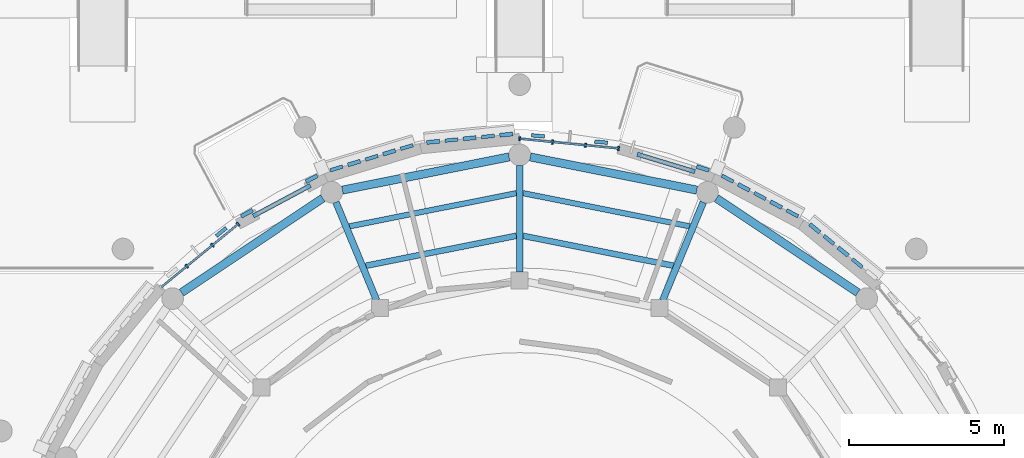
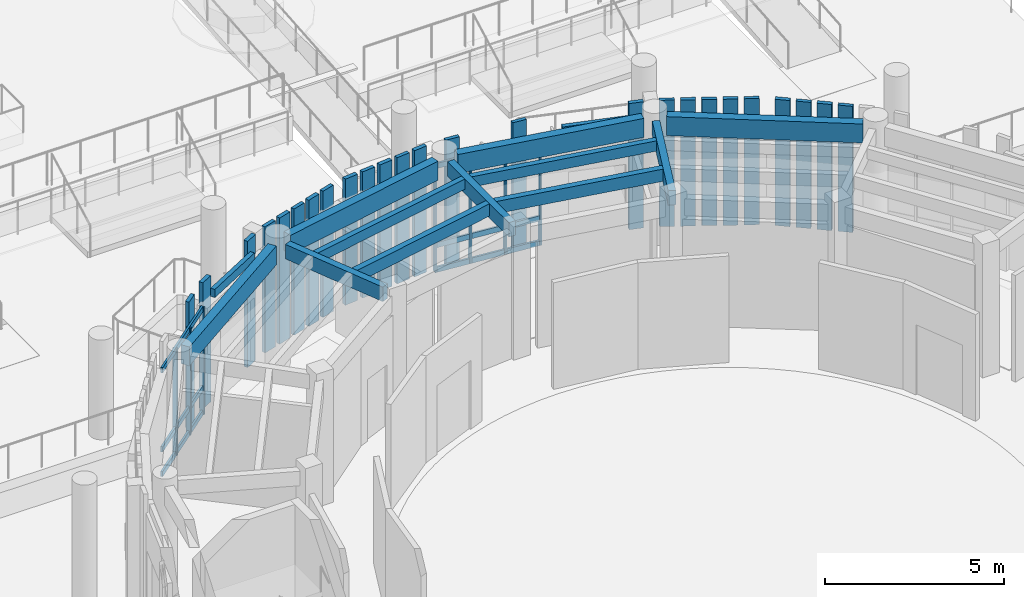
# One storey, part 18 of 94: 38 members, 13 beams, 2 elements without a shape of their own.
"""IFC4 building model written with IfcOpenShell, lengths in metres."""

from ifc_helpers import new_model, si_unit, direction, frame, origin, origin_2d, place, context, subcontext, project, spatial, rectangle, extrude, material, layer, layer_set, material_profile, profile_set, type_object, element, aggregate, save


model = new_model("IFC4")

# Units and contexts
model_context = context("Model", 3, precision=1e-05, world=origin(), true_north=direction((0.0, 1.0)))
body_context = subcontext(model_context, "Body", "Model", "MODEL_VIEW")
ifc_project = project(units=[si_unit("LENGTHUNIT", "METRE"), si_unit("AREAUNIT", "SQUARE_METRE"), si_unit("VOLUMEUNIT", "CUBIC_METRE"), si_unit("PLANEANGLEUNIT", "RADIAN"), si_unit("MASSUNIT", "GRAM", prefix="KILO")], contexts=[model_context])

# Site, building, storey
site_placement = place(None, origin())
site = spatial("IfcSite", under=ifc_project, at=site_placement, CompositionType="ELEMENT")
building_placement = place(site_placement, origin())
building = spatial("IfcBuilding", under=site, at=building_placement, Name="Aldenvaro Health Centre", CompositionType="ELEMENT")
storey_placement = place(building_placement, origin())
storey = spatial("IfcBuildingStorey", under=building, at=storey_placement, Name="L00", CompositionType="ELEMENT", Elevation=0.0)

# Beams
ifc_material_1 = material(Name="Glulam GL28h", Category="wood")
ifc_material_profile_1 = material_profile(ifc_material_1, rectangle(XDim=0.139892578125, YDim=0.280029296875, at=origin_2d()), Name="GL 140x280", Category="wood")
ifc_profile_set_1 = profile_set([ifc_material_profile_1], Name="Glulam GL28h")
beam_type_1 = type_object("IfcBeamType", Name="BM-GL-280", PredefinedType="LINTEL", material=ifc_profile_set_1)
beam_1_placement = place(storey_placement, frame((78.3798828125, 33.89892578125, 3.799072265625), z_axis=(0.881911669303, 0.471414687454, 0.0), x_axis=(-0.471414687454, 0.881911669303, 0.0)))
element("IfcBeam", 1, at=beam_1_placement, inside=storey, type_object=beam_type_1, Name="Portal Lintel Beam 05", PredefinedType="LINTEL", context=body_context, shape_type="SweptSolid", body=[
    extrude(rectangle(XDim=0.139892578125, YDim=0.280029296875, at=origin_2d()), origin(), (0.0, 0.0, 1.0), 2.10009765625),
])
beam_2_placement = place(storey_placement, frame((90.804931640625, 35.90087890625, 3.799072265625), z_axis=(0.956956983747, -0.290229790439, 0.0), x_axis=(0.290229790439, 0.956956983747, 0.0)))
element("IfcBeam", 2, at=beam_2_placement, inside=storey, type_object=beam_type_1, Name="Portal Lintel Beam 06", PredefinedType="LINTEL", context=body_context, shape_type="SweptSolid", body=[
    extrude(rectangle(XDim=0.139892578125, YDim=0.280029296875, at=origin_2d()), origin(), (0.0, 0.0, 1.0), 1.949951171875),
])
ifc_material_profile_2 = material_profile(ifc_material_1, rectangle(XDim=0.175048828125, YDim=0.35009765625, at=origin_2d()), Name="GL 175x350", Category="wood")
ifc_profile_set_2 = profile_set([ifc_material_profile_2], Name="Glulam GL28h")
beam_type_2 = type_object("IfcBeamType", Name="BM-GL-350", PredefinedType="JOIST", material=ifc_profile_set_2)
for number, where, z_axis, x_axis, name in (
    (3, (92.5048828125, 33.56689453125, 4.1298828125), (-0.980781408999, 0.195109783868, 0.0), (-0.195109783868, -0.980781408999, 0.0), "D1 L00 secondary joist 03.2"),
    (4, (86.89501953125, 34.64111328125, 4.1298828125), (-0.980781408999, -0.195109783868, 0.0), (0.195109783868, -0.980781408999, 0.0), "D1 L00 secondary joist 04.2"),
):
    element("IfcBeam", number, at=place(storey_placement, frame(where, z_axis=z_axis, x_axis=x_axis)), inside=storey, type_object=beam_type_2, Name=name, PredefinedType="JOIST", context=body_context, shape_type="SweptSolid", body=[
        extrude(rectangle(XDim=0.175048828125, YDim=0.35009765625, at=origin_2d()), origin(), (0.0, 0.0, 1.0), 5.505615234375),
    ])
ifc_material_profile_3 = material_profile(ifc_material_1, rectangle(XDim=0.18994140625, YDim=0.41796875, at=origin_2d()), Name="GL 190x418", Category="wood")
ifc_profile_set_3 = profile_set([ifc_material_profile_3], Name="Glulam GL28h")
beam_type_3 = type_object("IfcBeamType", Name="BM-GL-418", PredefinedType="JOIST", material=ifc_profile_set_3)
for number, where, z_axis, x_axis, name in (
    (5, (91.97705078125, 32.291015625, 4.095947265625), (-0.980752308599, 0.195256009324, 0.0), (-0.195256009324, -0.980752308599, 0.0), "D1 L00 secondary joist 03.1"),
    (6, (86.89501953125, 33.260986328125, 4.095947265625), (-0.980752308599, -0.195256009324, 0.0), (0.195256009324, -0.980752308599, 0.0), "D1 L00 secondary joist 04.1"),
):
    element("IfcBeam", number, at=place(storey_placement, frame(where, z_axis=z_axis, x_axis=x_axis)), inside=storey, type_object=beam_type_3, Name=name, PredefinedType="JOIST", context=body_context, shape_type="SweptSolid", body=[
        extrude(rectangle(XDim=0.18994140625, YDim=0.41796875, at=origin_2d()), origin(), (0.0, 0.0, 1.0), 4.9677734375),
    ])
ifc_material_profile_4 = material_profile(ifc_material_1, rectangle(XDim=0.215087890625, YDim=0.493896484375, at=origin_2d()), Name="GL 215x494", Category="wood")
ifc_profile_set_4 = profile_set([ifc_material_profile_4], Name="Glulam GL28h")
beam_type_4 = type_object("IfcBeamType", Name="BM-GL-494", PredefinedType="BEAM", material=ifc_profile_set_4)
beam_3_placement = place(storey_placement, frame((91.6279296875, 31.174072265625, 4.05810546875), z_axis=(0.382818309199, 0.923823653162, 0.0), x_axis=(-0.923823653162, 0.382818309199, 0.0)))
element("IfcBeam", 7, at=beam_3_placement, inside=storey, type_object=beam_type_4, Name="D1 L00 radial beam 03", PredefinedType="BEAM", context=body_context, shape_type="SweptSolid", body=[
    extrude(rectangle(XDim=0.215087890625, YDim=0.493896484375, at=origin_2d()), origin(), (0.0, 0.0, 1.0), 3.435546875),
])
beam_4_placement = place(storey_placement, frame((87.0, 32.094970703125, 4.05810546875), z_axis=(0.0, 1.0, 0.0), x_axis=(-1.0, 0.0, 0.0)))
element("IfcBeam", 8, at=beam_4_placement, inside=storey, type_object=beam_type_4, Name="D1 L00 radial beam 04", PredefinedType="BEAM", context=body_context, shape_type="SweptSolid", body=[
    extrude(rectangle(XDim=0.215087890625, YDim=0.493896484375, at=origin_2d()), origin(), (0.0, 0.0, 1.0), 3.43505859375),
])
beam_5_placement = place(storey_placement, frame((82.3720703125, 31.174072265625, 4.05810546875), z_axis=(-0.382818309199, 0.923823653162, 0.0), x_axis=(-0.923823653162, -0.382818309199, 0.0)))
element("IfcBeam", 9, at=beam_5_placement, inside=storey, type_object=beam_type_4, Name="D1 L00 radial beam 05", PredefinedType="BEAM", context=body_context, shape_type="SweptSolid", body=[
    extrude(rectangle(XDim=0.215087890625, YDim=0.493896484375, at=origin_2d()), origin(), (0.0, 0.0, 1.0), 3.435546875),
])
ifc_material_profile_5 = material_profile(ifc_material_1, rectangle(XDim=0.264892578125, YDim=0.64599609375, at=origin_2d()), Name="GL 265x646", Category="wood")
ifc_profile_set_5 = profile_set([ifc_material_profile_5], Name="Glulam GL28h")
beam_type_5 = type_object("IfcBeamType", Name="BM-GL-646", PredefinedType="SPANDREL", material=ifc_profile_set_5)
for number, where, z_axis, x_axis, name in (
    (10, (97.93798828125, 31.423095703125, 3.98193359375), (-0.831441623156, 0.555612119454, 0.0), (-0.555612119454, -0.831441623156, 0.0), "D1 L00 perimeter spandrel 03"),
    (11, (92.73388671875, 34.739013671875, 3.98193359375), (-0.980761340452, 0.19521063771, 0.0), (-0.19521063771, -0.980761340452, 0.0), "D1 L00 perimeter spandrel 04"),
    (12, (86.656982421875, 35.81201171875, 3.98193359375), (-0.980761340452, -0.19521063771, 0.0), (0.19521063771, -0.980761340452, 0.0), "D1 L00 perimeter spandrel 05"),
    (13, (80.632080078125, 34.47705078125, 3.98193359375), (-0.831441623156, -0.555612119454, 0.0), (0.555612119454, -0.831441623156, 0.0), "D1 L00 perimeter spandrel 06"),
):
    element("IfcBeam", number, at=place(storey_placement, frame(where, z_axis=z_axis, x_axis=x_axis)), inside=storey, type_object=beam_type_5, Name=name, PredefinedType="SPANDREL", context=body_context, shape_type="SweptSolid", body=[
        extrude(rectangle(XDim=0.264892578125, YDim=0.64599609375, at=origin_2d()), origin(), (0.0, 0.0, 1.0), 5.49658203125),
    ])

# Curtain wall, members
ifc_material_2 = material(Name="Anodised Aluminium 6063-T6", Category="aluminium")
ifc_layer = layer(ifc_material_2, 0.179931640625, Name="Anodised Aluminium 6063-T6", Category="aluminium")
ifc_layer_set = layer_set([ifc_layer], Name="Anodised Aluminium 6063-T6")
curtain_wall_type = type_object("IfcCurtainWallType", Name="CW-ROT-01", PredefinedType="NOTDEFINED", material=ifc_layer_set)
curtain_wall_1_placement = place(storey_placement, origin())
curtain_wall_1 = element("IfcCurtainWall", 14, at=curtain_wall_1_placement, inside=storey, type_object=curtain_wall_type, Name="D1 L00 curtain wall bay 21", PredefinedType="NOTDEFINED")
ifc_material_profile_6 = material_profile(ifc_material_2, rectangle(XDim=0.06005859375, YDim=0.135009765625, at=origin_2d()), Name="ALU 60x135", Category="aluminium")
ifc_profile_set_6 = profile_set([ifc_material_profile_6], Name="Anodised Aluminium 6063-T6")
member_type_1 = type_object("IfcMemberType", Name="CWM-150", PredefinedType="MULLION", material=ifc_profile_set_6)
member_1_placement = place(storey_placement, frame((76.23193359375, 32.277099609375, 0.0), z_axis=(0.0, 0.0, 1.0), x_axis=(0.773194586776, 0.634168850528, 0.0)))
member_1 = element("IfcMember", 15, at=member_1_placement, type_object=member_type_1, Name="D1 L00 curtain wall bay 21 mullion 2", PredefinedType="MULLION", context=body_context, shape_type="SweptSolid", body=[
    extrude(rectangle(XDim=0.06005859375, YDim=0.135009765625, at=origin_2d()), origin(), (0.0, 0.0, 1.0), 3.658935546875),
])
member_2_placement = place(storey_placement, frame((77.06005859375, 32.9560546875, 0.0), z_axis=(0.0, 0.0, 1.0), x_axis=(0.773194586776, 0.634168850528, 0.0)))
member_2 = element("IfcMember", 16, at=member_2_placement, type_object=member_type_1, Name="D1 L00 curtain wall bay 21 mullion 3", PredefinedType="MULLION", context=body_context, shape_type="SweptSolid", body=[
    extrude(rectangle(XDim=0.06005859375, YDim=0.135009765625, at=origin_2d()), origin(), (0.0, 0.0, 1.0), 3.658935546875),
])
member_3_placement = place(storey_placement, frame((77.888916015625, 33.635986328125, 0.0), z_axis=(0.0, 0.0, 1.0), x_axis=(0.773194586776, 0.634168850528, 0.0)))
member_3 = element("IfcMember", 17, at=member_3_placement, type_object=member_type_1, Name="D1 L00 curtain wall bay 21 mullion 4", PredefinedType="MULLION", context=body_context, shape_type="SweptSolid", body=[
    extrude(rectangle(XDim=0.06005859375, YDim=0.135009765625, at=origin_2d()), origin(), (0.0, 0.0, 1.0), 3.658935546875),
])

curtain_wall_2_placement = place(storey_placement, origin())
curtain_wall_2 = element("IfcCurtainWall", 18, at=curtain_wall_2_placement, inside=storey, type_object=curtain_wall_type, Name="D1 L00 curtain wall bay 25", PredefinedType="NOTDEFINED")
member_4_placement = place(storey_placement, frame((87.0, 36.39990234375, 0.0), z_axis=(0.0, 0.0, 1.0), x_axis=(0.995186971968, -0.097994340783, 0.0)))
member_4 = element("IfcMember", 19, at=member_4_placement, type_object=member_type_1, Name="D1 L00 curtain wall bay 25 mullion 1", PredefinedType="MULLION", context=body_context, shape_type="SweptSolid", body=[
    extrude(rectangle(XDim=0.06005859375, YDim=0.135009765625, at=origin_2d()), origin(), (0.0, 0.0, 1.0), 3.658935546875),
])
member_5_placement = place(storey_placement, frame((88.06591796875, 36.294921875, 0.0), z_axis=(0.0, 0.0, 1.0), x_axis=(0.995186971968, -0.097994340783, 0.0)))
member_5 = element("IfcMember", 20, at=member_5_placement, type_object=member_type_1, Name="D1 L00 curtain wall bay 25 mullion 2", PredefinedType="MULLION", context=body_context, shape_type="SweptSolid", body=[
    extrude(rectangle(XDim=0.06005859375, YDim=0.135009765625, at=origin_2d()), origin(), (0.0, 0.0, 1.0), 3.658935546875),
])
member_6_placement = place(storey_placement, frame((89.133056640625, 36.18994140625, 0.0), z_axis=(0.0, 0.0, 1.0), x_axis=(0.995186971968, -0.097994340783, 0.0)))
member_6 = element("IfcMember", 21, at=member_6_placement, type_object=member_type_1, Name="D1 L00 curtain wall bay 25 mullion 3", PredefinedType="MULLION", context=body_context, shape_type="SweptSolid", body=[
    extrude(rectangle(XDim=0.06005859375, YDim=0.135009765625, at=origin_2d()), origin(), (0.0, 0.0, 1.0), 3.658935546875),
])
member_7_placement = place(storey_placement, frame((90.198974609375, 36.0849609375, 0.0), z_axis=(0.0, 0.0, 1.0), x_axis=(0.995186971968, -0.097994340783, 0.0)))
member_7 = element("IfcMember", 22, at=member_7_placement, type_object=member_type_1, Name="D1 L00 curtain wall bay 25 mullion 4", PredefinedType="MULLION", context=body_context, shape_type="SweptSolid", body=[
    extrude(rectangle(XDim=0.06005859375, YDim=0.135009765625, at=origin_2d()), origin(), (0.0, 0.0, 1.0), 3.658935546875),
])

# Member
ifc_material_profile_7 = material_profile(ifc_material_2, rectangle(XDim=0.06494140625, YDim=0.179931640625, at=origin_2d()), Name="ALU 65x180", Category="aluminium")
ifc_profile_set_7 = profile_set([ifc_material_profile_7], Name="Anodised Aluminium 6063-T6")
member_type_2 = type_object("IfcMemberType", Name="CWT-150", PredefinedType="USERDEFINED", material=ifc_profile_set_7)
member_8_placement = place(storey_placement, frame((75.403076171875, 31.596923828125, 0.06005859375), z_axis=(0.773165020866, 0.634204896314, 0.0), x_axis=(-0.634204896314, 0.773165020866, 0.0)))
member_8 = element("IfcMember", 23, at=member_8_placement, type_object=member_type_2, Name="D1 L00 curtain wall bay 21 transom 1", ObjectType="TRANSOM", PredefinedType="USERDEFINED", context=body_context, shape_type="SweptSolid", body=[
    extrude(rectangle(XDim=0.06494140625, YDim=0.179931640625, at=origin_2d()), origin(), (0.0, 0.0, 1.0), 3.215087890625),
])

member_9_placement = place(storey_placement, frame((75.403076171875, 31.596923828125, 0.89990234375), z_axis=(0.773165020866, 0.634204896314, 0.0), x_axis=(-0.634204896314, 0.773165020866, 0.0)))
member_9 = element("IfcMember", 24, at=member_9_placement, type_object=member_type_2, Name="D1 L00 curtain wall bay 21 transom 2", ObjectType="TRANSOM", PredefinedType="USERDEFINED", context=body_context, shape_type="SweptSolid", body=[
    extrude(rectangle(XDim=0.06494140625, YDim=0.179931640625, at=origin_2d()), origin(), (0.0, 0.0, 1.0), 3.215087890625),
])

member_10_placement = place(storey_placement, frame((75.403076171875, 31.596923828125, 3.59912109375), z_axis=(0.773165020866, 0.634204896314, 0.0), x_axis=(-0.634204896314, 0.773165020866, 0.0)))
member_10 = element("IfcMember", 25, at=member_10_placement, type_object=member_type_2, Name="D1 L00 curtain wall bay 21 transom 3", ObjectType="TRANSOM", PredefinedType="USERDEFINED", context=body_context, shape_type="SweptSolid", body=[
    extrude(rectangle(XDim=0.06494140625, YDim=0.179931640625, at=origin_2d()), origin(), (0.0, 0.0, 1.0), 3.215087890625),
])

aggregate(curtain_wall_1, [member_1, member_2, member_3, member_8, member_9, member_10])

member_11_placement = place(storey_placement, frame((87.0, 36.39990234375, 0.06005859375), z_axis=(0.995188673637, -0.097977057849, 0.0), x_axis=(0.097977057849, 0.995188673637, 0.0)))
member_11 = element("IfcMember", 26, at=member_11_placement, type_object=member_type_2, Name="D1 L00 curtain wall bay 25 transom 1", ObjectType="TRANSOM", PredefinedType="USERDEFINED", context=body_context, shape_type="SweptSolid", body=[
    extrude(rectangle(XDim=0.06494140625, YDim=0.179931640625, at=origin_2d()), origin(), (0.0, 0.0, 1.0), 3.21435546875),
])

member_12_placement = place(storey_placement, frame((87.0, 36.39990234375, 0.89990234375), z_axis=(0.995188673637, -0.097977057849, 0.0), x_axis=(0.097977057849, 0.995188673637, 0.0)))
member_12 = element("IfcMember", 27, at=member_12_placement, type_object=member_type_2, Name="D1 L00 curtain wall bay 25 transom 2", ObjectType="TRANSOM", PredefinedType="USERDEFINED", context=body_context, shape_type="SweptSolid", body=[
    extrude(rectangle(XDim=0.06494140625, YDim=0.179931640625, at=origin_2d()), origin(), (0.0, 0.0, 1.0), 3.21435546875),
])

member_13_placement = place(storey_placement, frame((87.0, 36.39990234375, 3.59912109375), z_axis=(0.995188673637, -0.097977057849, 0.0), x_axis=(0.097977057849, 0.995188673637, 0.0)))
member_13 = element("IfcMember", 28, at=member_13_placement, type_object=member_type_2, Name="D1 L00 curtain wall bay 25 transom 3", ObjectType="TRANSOM", PredefinedType="USERDEFINED", context=body_context, shape_type="SweptSolid", body=[
    extrude(rectangle(XDim=0.06494140625, YDim=0.179931640625, at=origin_2d()), origin(), (0.0, 0.0, 1.0), 3.21435546875),
])

aggregate(curtain_wall_2, [member_4, member_5, member_6, member_7, member_11, member_12, member_13])

# Members
ifc_material_profile_8 = material_profile(ifc_material_1, rectangle(XDim=0.114990234375, YDim=0.419921875, at=origin_2d()), Name="GL 115x420", Category="wood")
ifc_profile_set_8 = profile_set([ifc_material_profile_8], Name="Glulam GL28h")
member_type_3 = type_object("IfcMemberType", Name="MEM-SLT-420A", PredefinedType="POST", material=ifc_profile_set_8)
for number, where, z_axis, x_axis, name in (
    (29, (77.345947265625, 33.385009765625, 0.0), (0.0, 0.0, 1.0), (-0.634168850528, 0.773194586776, 0.0), "D1 L00 curtain mullion timber slat 21"),
    (30, (81.074951171875, 35.44091796875, 0.0), (0.0, 0.0, 1.0), (-0.290171396605, 0.95697469172, 0.0), "D1 L00 vertical timber slat 23.1"),
    (31, (82.2119140625, 35.785888671875, 0.0), (0.0, 0.0, 1.0), (-0.290171396605, 0.95697469172, 0.0), "D1 L00 vertical timber slat 23.3"),
    (32, (83.347900390625, 36.131103515625, 0.0), (0.0, 0.0, 1.0), (-0.290171396605, 0.95697469172, 0.0), "D1 L00 vertical timber slat 23.5"),
    (33, (84.79296875, 36.35791015625, 0.0), (0.0, 0.0, 1.0), (-0.097994340783, 0.995186971968, 0.0), "D1 L00 vertical timber slat 24.2"),
    (34, (85.97412109375, 36.47509765625, 0.0), (0.0, 0.0, 1.0), (-0.097994340783, 0.995186971968, 0.0), "D1 L00 vertical timber slat 24.4"),
    (35, (87.591064453125, 36.492919921875, 0.0), (0.0, 0.0, 1.0), (0.097994340783, 0.995186971968, 0.0), "D1 L00 curtain mullion timber slat 25"),
    (36, (89.637939453125, 36.291015625, 0.0), (0.0, 0.0, 1.0), (0.097994340783, 0.995186971968, 0.0), "D1 L00 curtain mullion timber slat 25"),
    (37, (93.72900390625, 35.10791015625, 0.0), (0.0, 0.0, 1.0), (0.471556629455, 0.88183578132, 0.0), "D1 L00 vertical timber slat 27.1"),
    (38, (94.77587890625, 34.548095703125, 0.0), (0.0, 0.0, 1.0), (0.471556629455, 0.88183578132, 0.0), "D1 L00 vertical timber slat 27.3"),
    (39, (95.822998046875, 33.988037109375, 0.0), (0.0, 0.0, 1.0), (0.471556629455, 0.88183578132, 0.0), "D1 L00 vertical timber slat 27.5"),
    (40, (97.006103515625, 33.1279296875, 0.0), (0.0, 0.0, 1.0), (0.634168850528, 0.773194586776, 0.0), "D1 L00 vertical timber slat 28.2"),
    (41, (97.924072265625, 32.375, 0.0), (0.0, 0.0, 1.0), (0.634168850528, 0.773194586776, 0.0), "D1 L00 vertical timber slat 28.4"),
):
    element("IfcMember", number, at=place(storey_placement, frame(where, z_axis=z_axis, x_axis=x_axis)), inside=storey, type_object=member_type_3, Name=name, PredefinedType="POST", context=body_context, shape_type="SweptSolid", body=[
        extrude(rectangle(XDim=0.114990234375, YDim=0.419921875, at=origin_2d()), origin(), (0.0, 0.0, 1.0), 4.304931640625),
    ])
ifc_material_profile_9 = material_profile(ifc_material_1, rectangle(XDim=0.1298828125, YDim=0.419921875, at=origin_2d()), Name="GL 130x420", Category="wood")
ifc_profile_set_9 = profile_set([ifc_material_profile_9], Name="Glulam GL28h")
member_type_4 = type_object("IfcMemberType", Name="MEM-SLT-420B", PredefinedType="POST", material=ifc_profile_set_9)
for number, where, z_axis, x_axis, name in (
    (42, (78.177001953125, 33.988037109375, 0.0), (0.0, 0.0, 1.0), (-0.471556629455, 0.88183578132, 0.0), "D1 L00 vertical timber slat 22.1"),
    (43, (80.27099609375, 35.10791015625, 0.0), (0.0, 0.0, 1.0), (-0.471556629455, 0.88183578132, 0.0), "D1 L00 vertical timber slat 22.5"),
    (44, (81.64306640625, 35.614013671875, 0.0), (0.0, 0.0, 1.0), (-0.290171396605, 0.95697469172, 0.0), "D1 L00 vertical timber slat 23.2"),
    (45, (82.780029296875, 35.9580078125, 0.0), (0.0, 0.0, 1.0), (-0.290171396605, 0.95697469172, 0.0), "D1 L00 vertical timber slat 23.4"),
    (46, (84.201904296875, 36.300048828125, 0.0), (0.0, 0.0, 1.0), (-0.097994340783, 0.995186971968, 0.0), "D1 L00 vertical timber slat 24.1"),
    (47, (85.383056640625, 36.4169921875, 0.0), (0.0, 0.0, 1.0), (-0.097994340783, 0.995186971968, 0.0), "D1 L00 vertical timber slat 24.3"),
    (48, (86.56494140625, 36.532958984375, 0.0), (0.0, 0.0, 1.0), (-0.097994340783, 0.995186971968, 0.0), "D1 L00 vertical timber slat 24.5"),
    (49, (92.925048828125, 35.44091796875, 0.0), (0.0, 0.0, 1.0), (0.290171396605, 0.95697469172, 0.0), "D1 L00 vertical timber slat 26.5"),
    (50, (94.251953125, 34.827880859375, 0.0), (0.0, 0.0, 1.0), (0.471556629455, 0.88183578132, 0.0), "D1 L00 vertical timber slat 27.2"),
    (51, (95.300048828125, 34.26806640625, 0.0), (0.0, 0.0, 1.0), (0.471556629455, 0.88183578132, 0.0), "D1 L00 vertical timber slat 27.4"),
    (52, (96.547119140625, 33.5048828125, 0.0), (0.0, 0.0, 1.0), (0.634168850528, 0.773194586776, 0.0), "D1 L00 vertical timber slat 28.1"),
    (53, (97.465087890625, 32.751953125, 0.0), (0.0, 0.0, 1.0), (0.634168850528, 0.773194586776, 0.0), "D1 L00 vertical timber slat 28.3"),
):
    element("IfcMember", number, at=place(storey_placement, frame(where, z_axis=z_axis, x_axis=x_axis)), inside=storey, type_object=member_type_4, Name=name, PredefinedType="POST", context=body_context, shape_type="SweptSolid", body=[
        extrude(rectangle(XDim=0.1298828125, YDim=0.419921875, at=origin_2d()), origin(), (0.0, 0.0, 1.0), 4.304931640625),
    ])

save(model, "model.ifc")
